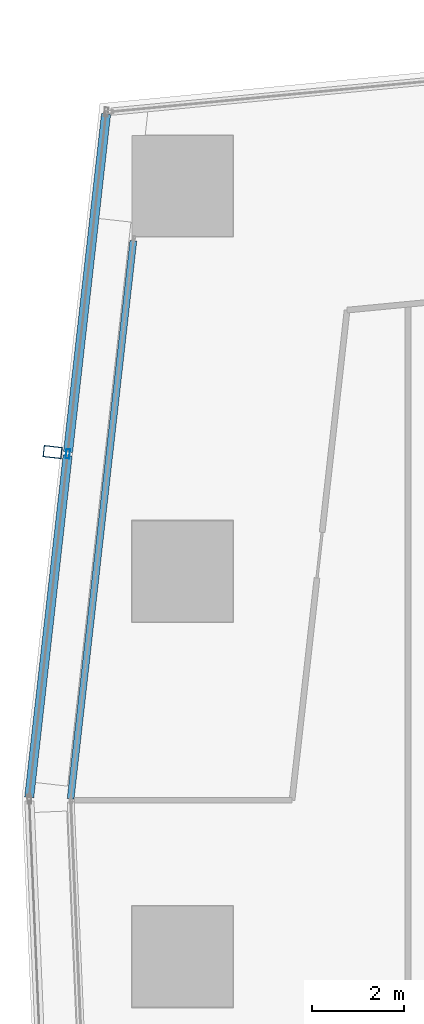
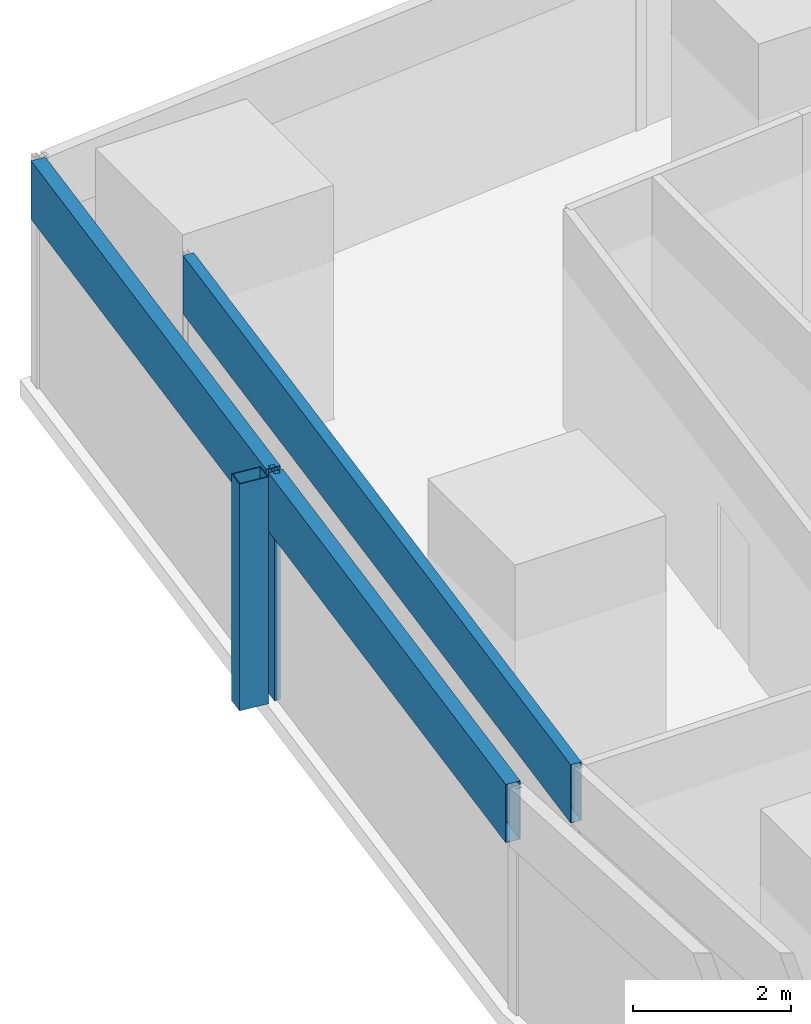
# One storey, part 15 of 44: 5 members, 2 elements without a shape of their own.
"""IFC4 building model written with IfcOpenShell, lengths in metres."""

from ifc_helpers import new_model, si_unit, direction, frame, origin, origin_2d, place, context, subcontext, project, spatial, hollow_rectangle, extrude, material, material_profile, profile_set, type_object, element, aggregate, save


model = new_model("IFC4")

# Units and contexts
model_context = context("Model", 3, precision=1e-05, world=origin(), true_north=direction((0.0, 1.0)))
body_context = subcontext(model_context, "Body", "Model", "MODEL_VIEW")
ifc_project = project(units=[si_unit("LENGTHUNIT", "METRE"), si_unit("AREAUNIT", "SQUARE_METRE"), si_unit("VOLUMEUNIT", "CUBIC_METRE"), si_unit("PLANEANGLEUNIT", "RADIAN"), si_unit("MASSUNIT", "GRAM", prefix="KILO")], contexts=[model_context])

# Site, building, storey
site_placement = place(None, origin())
site = spatial("IfcSite", under=ifc_project, at=site_placement, CompositionType="ELEMENT")
building_placement = place(site_placement, origin())
building = spatial("IfcBuilding", under=site, at=building_placement, Name="Rekha Terrace Tower", CompositionType="ELEMENT")
storey_placement = place(building_placement, frame((0.0, 0.0, 47.89990234375)))
storey = spatial("IfcBuildingStorey", under=building, at=storey_placement, Name="L11", CompositionType="ELEMENT", Elevation=47.89990234375)

# Curtain wall, member
ifc_material_1 = material(Name="Aluminium framing", Category="aluminium")
curtain_wall_type_1 = type_object("IfcCurtainWallType", Name="CW2 double skin outer glazing", PredefinedType="USERDEFINED", material=ifc_material_1)
curtain_wall_1_placement = place(storey_placement, origin())
curtain_wall_1 = element("IfcCurtainWall", 1, at=curtain_wall_1_placement, inside=storey, type_object=curtain_wall_type_1, Name="CW2 double skin outer glazing", ObjectType="DOUBLE SKIN OUTER GLAZING", PredefinedType="USERDEFINED")
ifc_material_2 = material(Name="Steel S355 with fluorocarbon finish", Category="steel")
ifc_material_profile_1 = material_profile(ifc_material_2, hollow_rectangle(XDim=0.25, YDim=0.39990234375, WallThickness=0.012451171875, at=origin_2d()), Name="RHS400x250x12.5")
ifc_profile_set_1 = profile_set([ifc_material_profile_1], Name="Steel S355 with fluorocarbon finish")
member_type_1 = type_object("IfcMemberType", Name="BL1 facade blade RHS 400 x 250", PredefinedType="USERDEFINED", material=ifc_profile_set_1)
member_1_placement = place(storey_placement, frame((5.569580078125, 53.001220703125, 0.0), z_axis=(0.0, 0.0, 1.0), x_axis=(-0.111729096216, -0.993738702607, 0.0)))
member_1 = element("IfcMember", 2, at=member_1_placement, type_object=member_type_1, Name="Facade blade", ObjectType="FACADE BLADE", PredefinedType="USERDEFINED", context=body_context, shape_type="SweptSolid", body=[
    extrude(hollow_rectangle(XDim=0.25, YDim=0.39990234375, WallThickness=0.012451171875, at=origin_2d()), origin(), (0.0, 0.0, 1.0), 3.5),
])

curtain_wall_type_2 = type_object("IfcCurtainWallType", Name="CW1 double skin inner glazing", PredefinedType="USERDEFINED", material=ifc_material_1)
curtain_wall_2_placement = place(storey_placement, origin())
curtain_wall_2 = element("IfcCurtainWall", 3, at=curtain_wall_2_placement, inside=storey, type_object=curtain_wall_type_2, Name="CW1 double skin inner glazing", ObjectType="DOUBLE SKIN INNER GLAZING", PredefinedType="USERDEFINED")
ifc_material_3 = material(Name="Insulated aluminium spandrel box", Category="aluminium")
ifc_material_profile_2 = material_profile(ifc_material_3, hollow_rectangle(XDim=0.14990234375, YDim=0.89990234375, WallThickness=0.0029296875, at=origin_2d()), Name="AL SPANDREL BOX 150x900")
ifc_profile_set_2 = profile_set([ifc_material_profile_2], Name="Insulated aluminium spandrel box")
member_type_2 = type_object("IfcMemberType", Name="CW1 spandrel transom 150 x 900", PredefinedType="USERDEFINED", material=ifc_profile_set_2)
member_2_placement = place(storey_placement, frame((7.33056640625, 57.611083984375, 3.050048828125), z_axis=(-0.111720442276, -0.993739675558, 0.0), x_axis=(0.993739675558, -0.111720442276, 0.0)))
member_2 = element("IfcMember", 4, at=member_2_placement, type_object=member_type_2, Name="CW1 spandrel transom 1", ObjectType="TRANSOM", PredefinedType="USERDEFINED", context=body_context, shape_type="SweptSolid", body=[
    extrude(hollow_rectangle(XDim=0.14990234375, YDim=0.89990234375, WallThickness=0.0029296875, at=origin_2d()), origin(), (0.0, 0.0, 1.0), 12.244140625),
])
aggregate(curtain_wall_2, [member_2])

# Member
ifc_material_4 = material(Name="Aluminium mullion section", Category="aluminium")
ifc_material_profile_3 = material_profile(ifc_material_4, hollow_rectangle(XDim=0.080078125, YDim=0.199951171875, WallThickness=0.00390625, at=origin_2d()), Name="AL RHS 80x200")
ifc_profile_set_3 = profile_set([ifc_material_profile_3], Name="Aluminium mullion section")
member_type_3 = type_object("IfcMemberType", Name="CW2 mullion RHS 80 x 200", PredefinedType="MULLION", material=ifc_profile_set_3)
member_3_placement = place(storey_placement, frame((5.90234375, 52.9638671875, 0.0), z_axis=(0.0, 0.0, 1.0), x_axis=(0.99373861552, -0.111729870782, 0.0)))
member_3 = element("IfcMember", 5, at=member_3_placement, type_object=member_type_3, Name="CW2 mullion 2", PredefinedType="MULLION", context=body_context, shape_type="SweptSolid", body=[
    extrude(hollow_rectangle(XDim=0.080078125, YDim=0.199951171875, WallThickness=0.00390625, at=origin_2d()), origin(), (0.0, 0.0, 1.0), 3.5),
])

ifc_material_profile_4 = material_profile(ifc_material_3, hollow_rectangle(XDim=0.199951171875, YDim=0.89990234375, WallThickness=0.0029296875, at=origin_2d()), Name="AL SPANDREL BOX 200x900")
ifc_profile_set_4 = profile_set([ifc_material_profile_4], Name="Insulated aluminium spandrel box")
member_type_4 = type_object("IfcMemberType", Name="CW2 spandrel transom 200 x 900", PredefinedType="USERDEFINED", material=ifc_profile_set_4)
member_4_placement = place(storey_placement, frame((6.735595703125, 60.37353515625, 3.050048828125), z_axis=(-0.111728537773, -0.993738765394, 0.0), x_axis=(0.993738765394, -0.111728537773, 0.0)))
member_4 = element("IfcMember", 6, at=member_4_placement, type_object=member_type_4, Name="CW2 spandrel transom 1", ObjectType="TRANSOM", PredefinedType="USERDEFINED", context=body_context, shape_type="SweptSolid", body=[
    extrude(hollow_rectangle(XDim=0.199951171875, YDim=0.89990234375, WallThickness=0.0029296875, at=origin_2d()), origin(), (0.0, 0.0, 1.0), 7.416259765625),
])

member_5_placement = place(storey_placement, frame((5.89794921875, 52.924072265625, 3.050048828125), z_axis=(-0.111739697795, -0.993737510582, 0.0), x_axis=(0.993737510582, -0.111739697795, 0.0)))
member_5 = element("IfcMember", 7, at=member_5_placement, type_object=member_type_4, Name="CW2 spandrel transom 2", ObjectType="TRANSOM", PredefinedType="USERDEFINED", context=body_context, shape_type="SweptSolid", body=[
    extrude(hollow_rectangle(XDim=0.199951171875, YDim=0.89990234375, WallThickness=0.0029296875, at=origin_2d()), origin(), (0.0, 0.0, 1.0), 7.496337890625),
])

aggregate(curtain_wall_1, [member_3, member_4, member_5, member_1])

save(model, "model.ifc")
